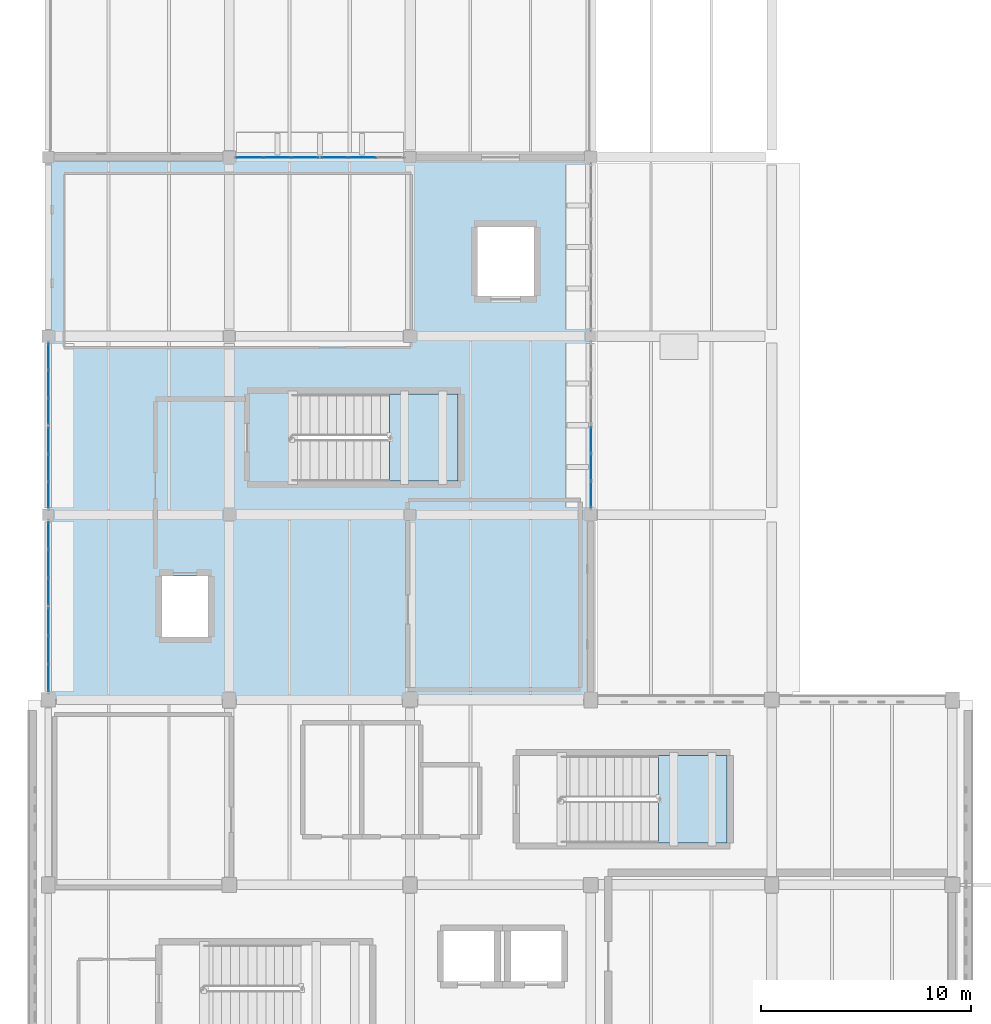
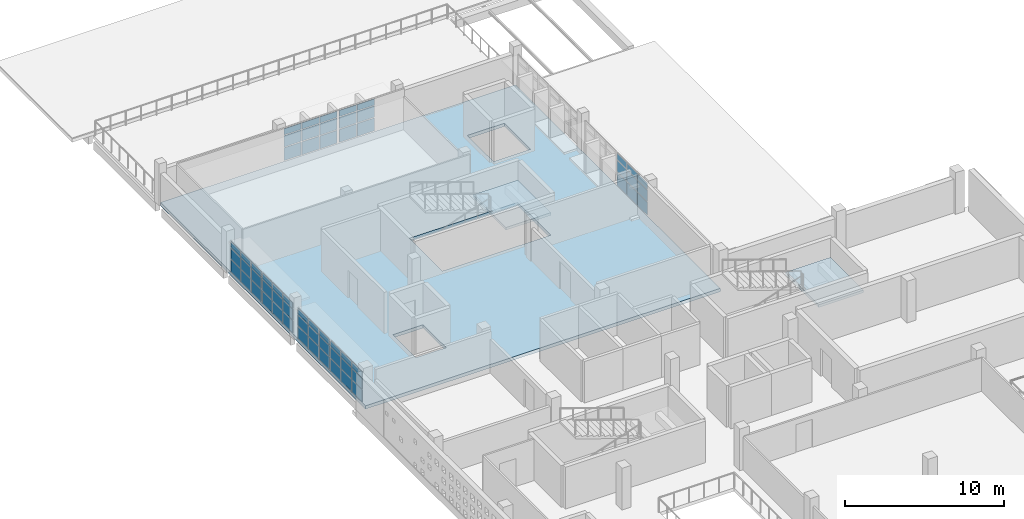
# One storey, part 34 of 55: 60 plates, 3 slabs, 9 elements without a shape of their own.
"""IFC4 building model written with IfcOpenShell, lengths in metres."""

import ifcopenshell
import ifcopenshell.guid

model = None  # the IFC model being written
_history = None  # IfcOwnerHistory: only IFC2X3 demands one
_inside = {}  # id of a spatial element -> (the spatial element, [elements in it])
_under = {}  # id of a project, library or spatial element -> (it, [spatial elements below it])
_declared = {}  # id of a project -> (the project, [libraries it declares])
_typed = {}  # id of a type object -> (the type object, [elements of that type])
_made_of = {}  # id of a material, layer set ... -> (it, [elements and type objects made of it])


def new_model(schema):
    """Start an empty IFC model of exactly this schema.

    Asked for "IFC4X3", IfcOpenShell would pick the latest addendum, in which some entities
    have other attributes; the version numbers below select the first issue.
    IFC2X3 requires an IfcOwnerHistory on every rooted entity: one is made here for all.
    """
    global model, _history
    if schema == "IFC4X3":
        model = ifcopenshell.file(schema_version=(4, 3, 0, 0))
    else:
        model = ifcopenshell.file(schema=schema)
    _inside.clear()
    _under.clear()
    _declared.clear()
    _typed.clear()
    _made_of.clear()
    _history = None
    if model.schema == "IFC2X3":
        org = make("IfcOrganization", Name="unknown")
        user = make(
            "IfcPersonAndOrganization",
            ThePerson=make("IfcPerson", FamilyName="unknown"),
            TheOrganization=org,
        )
        app = make(
            "IfcApplication",
            ApplicationDeveloper=org,
            Version="unknown",
            ApplicationFullName="unknown",
            ApplicationIdentifier="unknown",
        )
        _history = make(
            "IfcOwnerHistory",
            OwningUser=user,
            OwningApplication=app,
            ChangeAction="ADDED",
            CreationDate=0,
        )
    return model


def make(cls, **values):
    """One entity of the class cls with the attributes given. An attribute that is None is left unset."""
    return model.create_entity(
        cls, **{name: value for name, value in values.items() if value is not None}
    )


def rooted(cls, **values):
    """An entity with a GlobalId (a new one), such as an element, a storey or a relation."""
    return make(cls, GlobalId=ifcopenshell.guid.new(), OwnerHistory=_history, **values)


def si_unit(unit_type, name, prefix=None):
    """IfcSIUnit, for example si_unit("LENGTHUNIT", "METRE", prefix="MILLI")."""
    return make("IfcSIUnit", UnitType=unit_type, Prefix=prefix, Name=name)


def assignment(units):
    """IfcUnitAssignment: the units of a project."""
    return None if units is None else make("IfcUnitAssignment", Units=units)


def point(xyz):
    """IfcCartesianPoint."""
    return None if xyz is None else make("IfcCartesianPoint", Coordinates=xyz)


def direction(xyz):
    """IfcDirection."""
    return None if xyz is None else make("IfcDirection", DirectionRatios=xyz)


def frame(location, z_axis=None, x_axis=None):
    """IfcAxis2Placement3D, a coordinate frame: its origin and axes. An axis left out is left unset."""
    return make(
        "IfcAxis2Placement3D",
        Location=point(location),
        Axis=direction(z_axis),
        RefDirection=direction(x_axis),
    )


def frame_2d(location, x_axis=None):
    """IfcAxis2Placement2D, a coordinate frame in the plane: its origin and x axis."""
    return make(
        "IfcAxis2Placement2D", Location=point(location), RefDirection=direction(x_axis)
    )


def origin():
    """The frame at (0, 0, 0) with its axes left unset."""
    return frame((0.0, 0.0, 0.0))


def origin_2d():
    """The frame at (0, 0) in the plane with its x axis left unset."""
    return frame_2d((0.0, 0.0))


def place(relative_to, where):
    """IfcLocalPlacement: puts the frame where relative to a parent placement (None: the world)."""
    return make(
        "IfcLocalPlacement", PlacementRelTo=relative_to, RelativePlacement=where
    )


def context(
    kind, dimensions, precision=None, world=None, true_north=None, identifier=None
):
    """IfcGeometricRepresentationContext, for example the 3D "Model" context."""
    return make(
        "IfcGeometricRepresentationContext",
        ContextIdentifier=identifier,
        ContextType=kind,
        CoordinateSpaceDimension=dimensions,
        Precision=precision,
        WorldCoordinateSystem=world,
        TrueNorth=true_north,
    )


def subcontext(parent, identifier, kind, view, scale=None):
    """IfcGeometricRepresentationSubContext, for example "Body" below "Model"."""
    return make(
        "IfcGeometricRepresentationSubContext",
        ContextIdentifier=identifier,
        ContextType=kind,
        ParentContext=parent,
        TargetScale=scale,
        TargetView=view,
    )


def project(units=None, contexts=None):
    """IfcProject with its units and contexts."""
    return rooted(
        "IfcProject",
        Name="project",
        RepresentationContexts=contexts,
        UnitsInContext=assignment(units),
    )


def spatial(cls, under=None, at=None, **own):
    """A site, building, storey or space (cls), placed at a placement, below another one or the project."""
    s = rooted(cls, ObjectPlacement=at, **own)
    if under is not None:
        _under.setdefault(under.id(), (under, []))[1].append(s)
    return s


def polyline(points):
    """IfcPolyline through the points."""
    return make("IfcPolyline", Points=[point(p) for p in points])


def profile(cls, at=None, kind="AREA", **sizes):
    """A parametric profile (cls). Its sizes go by their IFC names, for example OverallWidth=200.0."""
    return make(cls, ProfileType=kind, Position=at, **sizes)


def rectangle(**sizes):
    """IfcRectangleProfileDef."""
    return profile("IfcRectangleProfileDef", **sizes)


def outline(outer, holes=None, kind="AREA"):
    """IfcArbitraryClosedProfileDef: a profile drawn as a closed curve; with holes, ...WithVoids."""
    if holes is None:
        return make("IfcArbitraryClosedProfileDef", ProfileType=kind, OuterCurve=outer)
    return make(
        "IfcArbitraryProfileDefWithVoids",
        ProfileType=kind,
        OuterCurve=outer,
        InnerCurves=holes,
    )


def extrude(swept, where, along, depth):
    """IfcExtrudedAreaSolid: the profile swept, set in the frame where, extruded along a direction by depth."""
    return make(
        "IfcExtrudedAreaSolid",
        SweptArea=swept,
        Position=where,
        ExtrudedDirection=direction(along),
        Depth=depth,
    )


def shape(context_of_items, identifier, shape_type, items):
    """IfcShapeRepresentation: the items that make up one representation, for example the "Body"."""
    return make(
        "IfcShapeRepresentation",
        ContextOfItems=context_of_items,
        RepresentationIdentifier=identifier,
        RepresentationType=shape_type,
        Items=items,
    )


def material(Name=None, Category=None):
    """IfcMaterial."""
    return make("IfcMaterial", Name=Name, Category=Category)


def layer(
    of_material, thickness, ventilated=None, Name=None, Category=None, Priority=None
):
    """IfcMaterialLayer: one layer of a wall or slab, of a material (None: an air gap)."""
    return make(
        "IfcMaterialLayer",
        Material=of_material,
        LayerThickness=thickness,
        IsVentilated=ventilated,
        Name=Name,
        Category=Category,
        Priority=Priority,
    )


def layer_set(layers, Name=None):
    """IfcMaterialLayerSet."""
    return make("IfcMaterialLayerSet", MaterialLayers=layers, LayerSetName=Name)


def made_of(thing, what):
    """Note that an element or type object is made of a material, layer set ...; save() writes the relation."""
    if what is not None:
        _made_of.setdefault(what.id(), (what, []))[1].append(thing)
    return thing


def type_object(cls, material=None, **own):
    """A type object (cls), such as IfcWallType, which elements share."""
    return made_of(rooted(cls, **own), material)


def element(
    cls,
    number,
    at=None,
    inside=None,
    cuts=None,
    type_object=None,
    material=None,
    context=None,
    identifier="Body",
    shape_type=None,
    held_by="IfcProductDefinitionShape",
    body=None,
    shapes=None,
    **own,
):
    """One element of the class cls, such as IfcWall. Its Tag is "e" and its number.

    at: its placement. inside: the storey or other place that contains it. cuts: it is an
    opening in that element (IfcRelVoidsElement). A single representation is given by context,
    identifier, shape_type and body (its items); several are given by shapes. held_by: the class
    of the entity that holds the representations. save() writes the other relations.
    """
    e = rooted(cls, Tag="e%d" % number, ObjectPlacement=at, **own)
    if body is not None:
        shapes = [shape(context, identifier, shape_type, body)]
    if shapes is not None:
        e.Representation = make(held_by, Representations=shapes)
    if inside is not None:
        _inside.setdefault(inside.id(), (inside, []))[1].append(e)
    if cuts is not None:
        rooted(
            "IfcRelVoidsElement", RelatingBuildingElement=cuts, RelatedOpeningElement=e
        )
    if type_object is not None:
        _typed.setdefault(type_object.id(), (type_object, []))[1].append(e)
    return made_of(e, material)


def aggregate(whole, parts):
    """IfcRelAggregates: a whole, such as a stair, and the parts it consists of."""
    return rooted("IfcRelAggregates", RelatingObject=whole, RelatedObjects=parts)


def save(model, path):
    """Write the relations noted so far, then the file.

    IfcRelAggregates (storeys below a building ...), IfcRelContainedInSpatialStructure (elements
    in a storey), IfcRelDefinesByType, IfcRelAssociatesMaterial and IfcRelDeclares: one each for
    every whole, place, type object, material and project.
    """
    for whole, parts in _under.values():
        aggregate(whole, parts)
    for where, things in _inside.values():
        rooted(
            "IfcRelContainedInSpatialStructure",
            RelatedElements=things,
            RelatingStructure=where,
        )
    for kind, things in _typed.values():
        rooted("IfcRelDefinesByType", RelatedObjects=things, RelatingType=kind)
    for what, things in _made_of.values():
        rooted("IfcRelAssociatesMaterial", RelatedObjects=things, RelatingMaterial=what)
    for by, libraries in _declared.values():
        rooted("IfcRelDeclares", RelatingContext=by, RelatedDefinitions=libraries)
    model.write(path)


model = new_model("IFC4")

# Units and contexts
model_context = context("Model", 3, precision=1e-05, world=origin(), true_north=direction((0.0, 1.0)))
body_context = subcontext(model_context, "Body", "Model", "MODEL_VIEW")
ifc_project = project(units=[si_unit("LENGTHUNIT", "METRE"), si_unit("AREAUNIT", "SQUARE_METRE"), si_unit("VOLUMEUNIT", "CUBIC_METRE"), si_unit("PLANEANGLEUNIT", "RADIAN"), si_unit("MASSUNIT", "GRAM", prefix="KILO")], contexts=[model_context])

# Site, building, storey
site_placement = place(None, origin())
site = spatial("IfcSite", under=ifc_project, at=site_placement, CompositionType="ELEMENT")
building_placement = place(site_placement, origin())
building = spatial("IfcBuilding", under=site, at=building_placement, Name="Varnakota Cinema and Media Centre", CompositionType="ELEMENT")
storey_placement = place(building_placement, frame((0.0, 0.0, 15.60009765625)))
storey = spatial("IfcBuildingStorey", under=building, at=storey_placement, Name="L04", CompositionType="ELEMENT", Elevation=15.60009765625)

# Curtain wall, plates
ifc_material_1 = material(Name="Thermally broken anodised aluminium AW-6063", Category="aluminium")
curtain_wall_type_1 = type_object("IfcCurtainWallType", Name="CW-STD-394x258", PredefinedType="USERDEFINED", material=ifc_material_1)
curtain_wall_1_placement = place(storey_placement, origin())
curtain_wall_1 = element("IfcCurtainWall", 1, at=curtain_wall_1_placement, inside=storey, type_object=curtain_wall_type_1, Name="L04 curtain wall CW-L04-V5-E-02-1", ObjectType="UNITISED CURTAIN WALL", PredefinedType="USERDEFINED")
ifc_material_2 = material(Name="Laminated solar-control double glazing", Category="glass")
ifc_layer_1 = layer(ifc_material_2, 0.028076171875)
ifc_layer_set_1 = layer_set([ifc_layer_1], Name="Laminated solar-control double glazing")
plate_type = type_object("IfcPlateType", Name="CWP-DGU-28", PredefinedType="CURTAIN_PANEL", material=ifc_layer_set_1)
plate_1_placement = place(storey_placement, frame((25.800048828125, 44.973388671875, 0.06494140625), z_axis=(0.0, 0.0, 1.0), x_axis=(0.0, 1.0, 0.0)))
plate_1 = element("IfcPlate", 2, at=plate_1_placement, type_object=plate_type, Name="CW30 panel 1.1", PredefinedType="CURTAIN_PANEL", context=body_context, shape_type="SweptSolid", body=[
    extrude(rectangle(XDim=1.216552734375, YDim=0.028076171875, at=origin_2d()), origin(), (0.0, 0.0, 1.0), 0.98828125),
])
plate_2_placement = place(storey_placement, frame((25.800048828125, 44.973388671875, 1.1181640625), z_axis=(0.0, 0.0, 1.0), x_axis=(0.0, 1.0, 0.0)))
plate_2 = element("IfcPlate", 3, at=plate_2_placement, type_object=plate_type, Name="CW30 panel 1.2", PredefinedType="CURTAIN_PANEL", context=body_context, shape_type="SweptSolid", body=[
    extrude(rectangle(XDim=1.216552734375, YDim=0.028076171875, at=origin_2d()), origin(), (0.0, 0.0, 1.0), 0.865478515625),
])
plate_3_placement = place(storey_placement, frame((25.800048828125, 44.973388671875, 2.048828125), z_axis=(0.0, 0.0, 1.0), x_axis=(0.0, 1.0, 0.0)))
plate_3 = element("IfcPlate", 4, at=plate_3_placement, type_object=plate_type, Name="CW30 panel 1.3", PredefinedType="CURTAIN_PANEL", context=body_context, shape_type="SweptSolid", body=[
    extrude(rectangle(XDim=1.216552734375, YDim=0.028076171875, at=origin_2d()), origin(), (0.0, 0.0, 1.0), 0.47119140625),
])
plate_4_placement = place(storey_placement, frame((25.800048828125, 46.271240234375, 0.06494140625), z_axis=(0.0, 0.0, 1.0), x_axis=(0.0, 1.0, 0.0)))
plate_4 = element("IfcPlate", 5, at=plate_4_placement, type_object=plate_type, Name="CW30 panel 2.1", PredefinedType="CURTAIN_PANEL", context=body_context, shape_type="SweptSolid", body=[
    extrude(rectangle(XDim=1.249267578125, YDim=0.028076171875, at=origin_2d()), origin(), (0.0, 0.0, 1.0), 0.98828125),
])
plate_5_placement = place(storey_placement, frame((25.800048828125, 46.271240234375, 1.1181640625), z_axis=(0.0, 0.0, 1.0), x_axis=(0.0, 1.0, 0.0)))
plate_5 = element("IfcPlate", 6, at=plate_5_placement, type_object=plate_type, Name="CW30 panel 2.2", PredefinedType="CURTAIN_PANEL", context=body_context, shape_type="SweptSolid", body=[
    extrude(rectangle(XDim=1.249267578125, YDim=0.028076171875, at=origin_2d()), origin(), (0.0, 0.0, 1.0), 0.865478515625),
])
plate_6_placement = place(storey_placement, frame((25.800048828125, 46.271240234375, 2.048828125), z_axis=(0.0, 0.0, 1.0), x_axis=(0.0, 1.0, 0.0)))
plate_6 = element("IfcPlate", 7, at=plate_6_placement, type_object=plate_type, Name="CW30 panel 2.3", PredefinedType="CURTAIN_PANEL", context=body_context, shape_type="SweptSolid", body=[
    extrude(rectangle(XDim=1.249267578125, YDim=0.028076171875, at=origin_2d()), origin(), (0.0, 0.0, 1.0), 0.47119140625),
])
plate_7_placement = place(storey_placement, frame((25.800048828125, 47.569091796875, 0.06494140625), z_axis=(0.0, 0.0, 1.0), x_axis=(0.0, 1.0, 0.0)))
plate_7 = element("IfcPlate", 8, at=plate_7_placement, type_object=plate_type, Name="CW30 panel 3.1", PredefinedType="CURTAIN_PANEL", context=body_context, shape_type="SweptSolid", body=[
    extrude(rectangle(XDim=1.216552734375, YDim=0.028076171875, at=origin_2d()), origin(), (0.0, 0.0, 1.0), 0.98828125),
])
plate_8_placement = place(storey_placement, frame((25.800048828125, 47.569091796875, 1.1181640625), z_axis=(0.0, 0.0, 1.0), x_axis=(0.0, 1.0, 0.0)))
plate_8 = element("IfcPlate", 9, at=plate_8_placement, type_object=plate_type, Name="CW30 panel 3.2", PredefinedType="CURTAIN_PANEL", context=body_context, shape_type="SweptSolid", body=[
    extrude(rectangle(XDim=1.216552734375, YDim=0.028076171875, at=origin_2d()), origin(), (0.0, 0.0, 1.0), 0.865478515625),
])
plate_9_placement = place(storey_placement, frame((25.800048828125, 47.569091796875, 2.048828125), z_axis=(0.0, 0.0, 1.0), x_axis=(0.0, 1.0, 0.0)))
plate_9 = element("IfcPlate", 10, at=plate_9_placement, type_object=plate_type, Name="CW30 panel 3.3", PredefinedType="CURTAIN_PANEL", context=body_context, shape_type="SweptSolid", body=[
    extrude(rectangle(XDim=1.216552734375, YDim=0.028076171875, at=origin_2d()), origin(), (0.0, 0.0, 1.0), 0.47119140625),
])
aggregate(curtain_wall_1, [plate_1, plate_2, plate_3, plate_4, plate_5, plate_6, plate_7, plate_8, plate_9])

ifc_material_3 = material(Name="Thermally broken anodised aluminium AW-6063", Category="aluminium")
curtain_wall_type_2 = type_object("IfcCurtainWallType", Name="CW-STD-399x258", PredefinedType="USERDEFINED", material=ifc_material_3)
curtain_wall_2_placement = place(storey_placement, origin())
curtain_wall_2 = element("IfcCurtainWall", 11, at=curtain_wall_2_placement, inside=storey, type_object=curtain_wall_type_2, Name="L04 curtain wall CW-L04-V5-N-02-1", ObjectType="UNITISED CURTAIN WALL", PredefinedType="USERDEFINED")
plate_10_placement = place(storey_placement, frame((9.581787109375, 61.0, 0.06494140625), z_axis=(0.0, 0.0, 1.0), x_axis=(1.0, 0.0, 0.0)))
plate_10 = element("IfcPlate", 12, at=plate_10_placement, type_object=plate_type, Name="CW49 panel 1.1", PredefinedType="CURTAIN_PANEL", context=body_context, shape_type="SweptSolid", body=[
    extrude(rectangle(XDim=1.2333984375, YDim=0.028076171875, at=origin_2d()), origin(), (0.0, 0.0, 1.0), 0.98828125),
])
plate_11_placement = place(storey_placement, frame((9.581787109375, 61.0, 1.1181640625), z_axis=(0.0, 0.0, 1.0), x_axis=(1.0, 0.0, 0.0)))
plate_11 = element("IfcPlate", 13, at=plate_11_placement, type_object=plate_type, Name="CW49 panel 1.2", PredefinedType="CURTAIN_PANEL", context=body_context, shape_type="SweptSolid", body=[
    extrude(rectangle(XDim=1.2333984375, YDim=0.028076171875, at=origin_2d()), origin(), (0.0, 0.0, 1.0), 0.865478515625),
])
plate_12_placement = place(storey_placement, frame((9.581787109375, 61.0, 2.048828125), z_axis=(0.0, 0.0, 1.0), x_axis=(1.0, 0.0, 0.0)))
plate_12 = element("IfcPlate", 14, at=plate_12_placement, type_object=plate_type, Name="CW49 panel 1.3", PredefinedType="CURTAIN_PANEL", context=body_context, shape_type="SweptSolid", body=[
    extrude(rectangle(XDim=1.2333984375, YDim=0.028076171875, at=origin_2d()), origin(), (0.0, 0.0, 1.0), 0.47119140625),
])
plate_13_placement = place(storey_placement, frame((10.896240234375, 61.0, 0.06494140625), z_axis=(0.0, 0.0, 1.0), x_axis=(1.0, 0.0, 0.0)))
plate_13 = element("IfcPlate", 15, at=plate_13_placement, type_object=plate_type, Name="CW49 panel 2.1", PredefinedType="CURTAIN_PANEL", context=body_context, shape_type="SweptSolid", body=[
    extrude(rectangle(XDim=1.265869140625, YDim=0.028076171875, at=origin_2d()), origin(), (0.0, 0.0, 1.0), 0.98828125),
])
plate_14_placement = place(storey_placement, frame((10.896240234375, 61.0, 1.1181640625), z_axis=(0.0, 0.0, 1.0), x_axis=(1.0, 0.0, 0.0)))
plate_14 = element("IfcPlate", 16, at=plate_14_placement, type_object=plate_type, Name="CW49 panel 2.2", PredefinedType="CURTAIN_PANEL", context=body_context, shape_type="SweptSolid", body=[
    extrude(rectangle(XDim=1.265869140625, YDim=0.028076171875, at=origin_2d()), origin(), (0.0, 0.0, 1.0), 0.865478515625),
])
plate_15_placement = place(storey_placement, frame((10.896240234375, 61.0, 2.048828125), z_axis=(0.0, 0.0, 1.0), x_axis=(1.0, 0.0, 0.0)))
plate_15 = element("IfcPlate", 17, at=plate_15_placement, type_object=plate_type, Name="CW49 panel 2.3", PredefinedType="CURTAIN_PANEL", context=body_context, shape_type="SweptSolid", body=[
    extrude(rectangle(XDim=1.265869140625, YDim=0.028076171875, at=origin_2d()), origin(), (0.0, 0.0, 1.0), 0.47119140625),
])
plate_16_placement = place(storey_placement, frame((12.2109375, 61.0, 0.06494140625), z_axis=(0.0, 0.0, 1.0), x_axis=(1.0, 0.0, 0.0)))
plate_16 = element("IfcPlate", 18, at=plate_16_placement, type_object=plate_type, Name="CW49 panel 3.1", PredefinedType="CURTAIN_PANEL", context=body_context, shape_type="SweptSolid", body=[
    extrude(rectangle(XDim=1.2333984375, YDim=0.028076171875, at=origin_2d()), origin(), (0.0, 0.0, 1.0), 0.98828125),
])
plate_17_placement = place(storey_placement, frame((12.2109375, 61.0, 1.1181640625), z_axis=(0.0, 0.0, 1.0), x_axis=(1.0, 0.0, 0.0)))
plate_17 = element("IfcPlate", 19, at=plate_17_placement, type_object=plate_type, Name="CW49 panel 3.2", PredefinedType="CURTAIN_PANEL", context=body_context, shape_type="SweptSolid", body=[
    extrude(rectangle(XDim=1.2333984375, YDim=0.028076171875, at=origin_2d()), origin(), (0.0, 0.0, 1.0), 0.865478515625),
])
plate_18_placement = place(storey_placement, frame((12.2109375, 61.0, 2.048828125), z_axis=(0.0, 0.0, 1.0), x_axis=(1.0, 0.0, 0.0)))
plate_18 = element("IfcPlate", 20, at=plate_18_placement, type_object=plate_type, Name="CW49 panel 3.3", PredefinedType="CURTAIN_PANEL", context=body_context, shape_type="SweptSolid", body=[
    extrude(rectangle(XDim=1.2333984375, YDim=0.028076171875, at=origin_2d()), origin(), (0.0, 0.0, 1.0), 0.47119140625),
])
aggregate(curtain_wall_2, [plate_10, plate_11, plate_12, plate_13, plate_14, plate_15, plate_16, plate_17, plate_18])

curtain_wall_3_placement = place(storey_placement, origin())
curtain_wall_3 = element("IfcCurtainWall", 21, at=curtain_wall_3_placement, inside=storey, type_object=curtain_wall_type_2, Name="L04 curtain wall CW-L04-V5-N-02-2", ObjectType="UNITISED CURTAIN WALL", PredefinedType="USERDEFINED")
plate_19_placement = place(storey_placement, frame((13.6142578125, 61.0, 0.06494140625), z_axis=(0.0, 0.0, 1.0), x_axis=(1.0, 0.0, 0.0)))
plate_19 = element("IfcPlate", 22, at=plate_19_placement, type_object=plate_type, Name="CW49 panel 1.1", PredefinedType="CURTAIN_PANEL", context=body_context, shape_type="SweptSolid", body=[
    extrude(rectangle(XDim=1.2333984375, YDim=0.028076171875, at=origin_2d()), origin(), (0.0, 0.0, 1.0), 0.98828125),
])
plate_20_placement = place(storey_placement, frame((13.6142578125, 61.0, 1.1181640625), z_axis=(0.0, 0.0, 1.0), x_axis=(1.0, 0.0, 0.0)))
plate_20 = element("IfcPlate", 23, at=plate_20_placement, type_object=plate_type, Name="CW49 panel 1.2", PredefinedType="CURTAIN_PANEL", context=body_context, shape_type="SweptSolid", body=[
    extrude(rectangle(XDim=1.2333984375, YDim=0.028076171875, at=origin_2d()), origin(), (0.0, 0.0, 1.0), 0.865478515625),
])
plate_21_placement = place(storey_placement, frame((13.6142578125, 61.0, 2.048828125), z_axis=(0.0, 0.0, 1.0), x_axis=(1.0, 0.0, 0.0)))
plate_21 = element("IfcPlate", 24, at=plate_21_placement, type_object=plate_type, Name="CW49 panel 1.3", PredefinedType="CURTAIN_PANEL", context=body_context, shape_type="SweptSolid", body=[
    extrude(rectangle(XDim=1.2333984375, YDim=0.028076171875, at=origin_2d()), origin(), (0.0, 0.0, 1.0), 0.47119140625),
])
plate_22_placement = place(storey_placement, frame((14.9287109375, 61.0, 0.06494140625), z_axis=(0.0, 0.0, 1.0), x_axis=(1.0, 0.0, 0.0)))
plate_22 = element("IfcPlate", 25, at=plate_22_placement, type_object=plate_type, Name="CW49 panel 2.1", PredefinedType="CURTAIN_PANEL", context=body_context, shape_type="SweptSolid", body=[
    extrude(rectangle(XDim=1.265869140625, YDim=0.028076171875, at=origin_2d()), origin(), (0.0, 0.0, 1.0), 0.98828125),
])
plate_23_placement = place(storey_placement, frame((14.9287109375, 61.0, 1.1181640625), z_axis=(0.0, 0.0, 1.0), x_axis=(1.0, 0.0, 0.0)))
plate_23 = element("IfcPlate", 26, at=plate_23_placement, type_object=plate_type, Name="CW49 panel 2.2", PredefinedType="CURTAIN_PANEL", context=body_context, shape_type="SweptSolid", body=[
    extrude(rectangle(XDim=1.265869140625, YDim=0.028076171875, at=origin_2d()), origin(), (0.0, 0.0, 1.0), 0.865478515625),
])
plate_24_placement = place(storey_placement, frame((14.9287109375, 61.0, 2.048828125), z_axis=(0.0, 0.0, 1.0), x_axis=(1.0, 0.0, 0.0)))
plate_24 = element("IfcPlate", 27, at=plate_24_placement, type_object=plate_type, Name="CW49 panel 2.3", PredefinedType="CURTAIN_PANEL", context=body_context, shape_type="SweptSolid", body=[
    extrude(rectangle(XDim=1.265869140625, YDim=0.028076171875, at=origin_2d()), origin(), (0.0, 0.0, 1.0), 0.47119140625),
])
aggregate(curtain_wall_3, [plate_19, plate_20, plate_21, plate_22, plate_23, plate_24])

ifc_material_4 = material(Name="Thermally broken anodised aluminium AW-6063", Category="aluminium")
curtain_wall_type_3 = type_object("IfcCurtainWallType", Name="CW-STD-394x244", PredefinedType="USERDEFINED", material=ifc_material_4)
curtain_wall_4_placement = place(storey_placement, origin())
curtain_wall_4 = element("IfcCurtainWall", 28, at=curtain_wall_4_placement, inside=storey, type_object=curtain_wall_type_3, Name="L04 curtain wall CW-L04-V5-W-02-1", ObjectType="UNITISED CURTAIN WALL", PredefinedType="USERDEFINED")
plate_25_placement = place(storey_placement, frame((0.0, 51.526611328125, 0.06494140625), z_axis=(0.0, 0.0, 1.0), x_axis=(0.0, -1.0, 0.0)))
plate_25 = element("IfcPlate", 29, at=plate_25_placement, type_object=plate_type, Name="CW50 panel 1.1", PredefinedType="CURTAIN_PANEL", context=body_context, shape_type="SweptSolid", body=[
    extrude(rectangle(XDim=1.216552734375, YDim=0.028076171875, at=origin_2d()), origin(), (0.0, 0.0, 1.0), 0.92529296875),
])
plate_26_placement = place(storey_placement, frame((0.0, 51.526611328125, 1.05517578125), z_axis=(0.0, 0.0, 1.0), x_axis=(0.0, -1.0, 0.0)))
plate_26 = element("IfcPlate", 30, at=plate_26_placement, type_object=plate_type, Name="CW50 panel 1.2", PredefinedType="CURTAIN_PANEL", context=body_context, shape_type="SweptSolid", body=[
    extrude(rectangle(XDim=1.216552734375, YDim=0.028076171875, at=origin_2d()), origin(), (0.0, 0.0, 1.0), 0.8115234375),
])
plate_27_placement = place(storey_placement, frame((0.0, 51.526611328125, 1.931640625), z_axis=(0.0, 0.0, 1.0), x_axis=(0.0, -1.0, 0.0)))
plate_27 = element("IfcPlate", 31, at=plate_27_placement, type_object=plate_type, Name="CW50 panel 1.3", PredefinedType="CURTAIN_PANEL", context=body_context, shape_type="SweptSolid", body=[
    extrude(rectangle(XDim=1.216552734375, YDim=0.028076171875, at=origin_2d()), origin(), (0.0, 0.0, 1.0), 0.438232421875),
])
plate_28_placement = place(storey_placement, frame((0.0, 50.228759765625, 0.06494140625), z_axis=(0.0, 0.0, 1.0), x_axis=(0.0, -1.0, 0.0)))
plate_28 = element("IfcPlate", 32, at=plate_28_placement, type_object=plate_type, Name="CW50 panel 2.1", PredefinedType="CURTAIN_PANEL", context=body_context, shape_type="SweptSolid", body=[
    extrude(rectangle(XDim=1.249267578125, YDim=0.028076171875, at=origin_2d()), origin(), (0.0, 0.0, 1.0), 0.92529296875),
])
plate_29_placement = place(storey_placement, frame((0.0, 50.228759765625, 1.05517578125), z_axis=(0.0, 0.0, 1.0), x_axis=(0.0, -1.0, 0.0)))
plate_29 = element("IfcPlate", 33, at=plate_29_placement, type_object=plate_type, Name="CW50 panel 2.2", PredefinedType="CURTAIN_PANEL", context=body_context, shape_type="SweptSolid", body=[
    extrude(rectangle(XDim=1.249267578125, YDim=0.028076171875, at=origin_2d()), origin(), (0.0, 0.0, 1.0), 0.8115234375),
])
plate_30_placement = place(storey_placement, frame((0.0, 50.228759765625, 1.931640625), z_axis=(0.0, 0.0, 1.0), x_axis=(0.0, -1.0, 0.0)))
plate_30 = element("IfcPlate", 34, at=plate_30_placement, type_object=plate_type, Name="CW50 panel 2.3", PredefinedType="CURTAIN_PANEL", context=body_context, shape_type="SweptSolid", body=[
    extrude(rectangle(XDim=1.249267578125, YDim=0.028076171875, at=origin_2d()), origin(), (0.0, 0.0, 1.0), 0.438232421875),
])
plate_31_placement = place(storey_placement, frame((0.0, 48.930908203125, 0.06494140625), z_axis=(0.0, 0.0, 1.0), x_axis=(0.0, -1.0, 0.0)))
plate_31 = element("IfcPlate", 35, at=plate_31_placement, type_object=plate_type, Name="CW50 panel 3.1", PredefinedType="CURTAIN_PANEL", context=body_context, shape_type="SweptSolid", body=[
    extrude(rectangle(XDim=1.216552734375, YDim=0.028076171875, at=origin_2d()), origin(), (0.0, 0.0, 1.0), 0.92529296875),
])
plate_32_placement = place(storey_placement, frame((0.0, 48.930908203125, 1.05517578125), z_axis=(0.0, 0.0, 1.0), x_axis=(0.0, -1.0, 0.0)))
plate_32 = element("IfcPlate", 36, at=plate_32_placement, type_object=plate_type, Name="CW50 panel 3.2", PredefinedType="CURTAIN_PANEL", context=body_context, shape_type="SweptSolid", body=[
    extrude(rectangle(XDim=1.216552734375, YDim=0.028076171875, at=origin_2d()), origin(), (0.0, 0.0, 1.0), 0.8115234375),
])
plate_33_placement = place(storey_placement, frame((0.0, 48.930908203125, 1.931640625), z_axis=(0.0, 0.0, 1.0), x_axis=(0.0, -1.0, 0.0)))
plate_33 = element("IfcPlate", 37, at=plate_33_placement, type_object=plate_type, Name="CW50 panel 3.3", PredefinedType="CURTAIN_PANEL", context=body_context, shape_type="SweptSolid", body=[
    extrude(rectangle(XDim=1.216552734375, YDim=0.028076171875, at=origin_2d()), origin(), (0.0, 0.0, 1.0), 0.438232421875),
])
aggregate(curtain_wall_4, [plate_25, plate_26, plate_27, plate_28, plate_29, plate_30, plate_31, plate_32, plate_33])

curtain_wall_5_placement = place(storey_placement, origin())
curtain_wall_5 = element("IfcCurtainWall", 38, at=curtain_wall_5_placement, inside=storey, type_object=curtain_wall_type_3, Name="L04 curtain wall CW-L04-V5-W-02-2", ObjectType="UNITISED CURTAIN WALL", PredefinedType="USERDEFINED")
plate_34_placement = place(storey_placement, frame((0.0, 47.544189453125, 0.06494140625), z_axis=(0.0, 0.0, 1.0), x_axis=(0.0, -1.0, 0.0)))
plate_34 = element("IfcPlate", 39, at=plate_34_placement, type_object=plate_type, Name="CW50 panel 1.1", PredefinedType="CURTAIN_PANEL", context=body_context, shape_type="SweptSolid", body=[
    extrude(rectangle(XDim=1.216552734375, YDim=0.028076171875, at=origin_2d()), origin(), (0.0, 0.0, 1.0), 0.92529296875),
])
plate_35_placement = place(storey_placement, frame((0.0, 47.544189453125, 1.05517578125), z_axis=(0.0, 0.0, 1.0), x_axis=(0.0, -1.0, 0.0)))
plate_35 = element("IfcPlate", 40, at=plate_35_placement, type_object=plate_type, Name="CW50 panel 1.2", PredefinedType="CURTAIN_PANEL", context=body_context, shape_type="SweptSolid", body=[
    extrude(rectangle(XDim=1.216552734375, YDim=0.028076171875, at=origin_2d()), origin(), (0.0, 0.0, 1.0), 0.8115234375),
])
plate_36_placement = place(storey_placement, frame((0.0, 47.544189453125, 1.931640625), z_axis=(0.0, 0.0, 1.0), x_axis=(0.0, -1.0, 0.0)))
plate_36 = element("IfcPlate", 41, at=plate_36_placement, type_object=plate_type, Name="CW50 panel 1.3", PredefinedType="CURTAIN_PANEL", context=body_context, shape_type="SweptSolid", body=[
    extrude(rectangle(XDim=1.216552734375, YDim=0.028076171875, at=origin_2d()), origin(), (0.0, 0.0, 1.0), 0.438232421875),
])
plate_37_placement = place(storey_placement, frame((0.0, 46.246337890625, 0.06494140625), z_axis=(0.0, 0.0, 1.0), x_axis=(0.0, -1.0, 0.0)))
plate_37 = element("IfcPlate", 42, at=plate_37_placement, type_object=plate_type, Name="CW50 panel 2.1", PredefinedType="CURTAIN_PANEL", context=body_context, shape_type="SweptSolid", body=[
    extrude(rectangle(XDim=1.249267578125, YDim=0.028076171875, at=origin_2d()), origin(), (0.0, 0.0, 1.0), 0.92529296875),
])
plate_38_placement = place(storey_placement, frame((0.0, 46.246337890625, 1.05517578125), z_axis=(0.0, 0.0, 1.0), x_axis=(0.0, -1.0, 0.0)))
plate_38 = element("IfcPlate", 43, at=plate_38_placement, type_object=plate_type, Name="CW50 panel 2.2", PredefinedType="CURTAIN_PANEL", context=body_context, shape_type="SweptSolid", body=[
    extrude(rectangle(XDim=1.249267578125, YDim=0.028076171875, at=origin_2d()), origin(), (0.0, 0.0, 1.0), 0.8115234375),
])
plate_39_placement = place(storey_placement, frame((0.0, 46.246337890625, 1.931640625), z_axis=(0.0, 0.0, 1.0), x_axis=(0.0, -1.0, 0.0)))
plate_39 = element("IfcPlate", 44, at=plate_39_placement, type_object=plate_type, Name="CW50 panel 2.3", PredefinedType="CURTAIN_PANEL", context=body_context, shape_type="SweptSolid", body=[
    extrude(rectangle(XDim=1.249267578125, YDim=0.028076171875, at=origin_2d()), origin(), (0.0, 0.0, 1.0), 0.438232421875),
])
plate_40_placement = place(storey_placement, frame((0.0, 44.9482421875, 0.06494140625), z_axis=(0.0, 0.0, 1.0), x_axis=(0.0, -1.0, 0.0)))
plate_40 = element("IfcPlate", 45, at=plate_40_placement, type_object=plate_type, Name="CW50 panel 3.1", PredefinedType="CURTAIN_PANEL", context=body_context, shape_type="SweptSolid", body=[
    extrude(rectangle(XDim=1.216552734375, YDim=0.028076171875, at=origin_2d()), origin(), (0.0, 0.0, 1.0), 0.92529296875),
])
plate_41_placement = place(storey_placement, frame((0.0, 44.9482421875, 1.05517578125), z_axis=(0.0, 0.0, 1.0), x_axis=(0.0, -1.0, 0.0)))
plate_41 = element("IfcPlate", 46, at=plate_41_placement, type_object=plate_type, Name="CW50 panel 3.2", PredefinedType="CURTAIN_PANEL", context=body_context, shape_type="SweptSolid", body=[
    extrude(rectangle(XDim=1.216552734375, YDim=0.028076171875, at=origin_2d()), origin(), (0.0, 0.0, 1.0), 0.8115234375),
])
plate_42_placement = place(storey_placement, frame((0.0, 44.9482421875, 1.931640625), z_axis=(0.0, 0.0, 1.0), x_axis=(0.0, -1.0, 0.0)))
plate_42 = element("IfcPlate", 47, at=plate_42_placement, type_object=plate_type, Name="CW50 panel 3.3", PredefinedType="CURTAIN_PANEL", context=body_context, shape_type="SweptSolid", body=[
    extrude(rectangle(XDim=1.216552734375, YDim=0.028076171875, at=origin_2d()), origin(), (0.0, 0.0, 1.0), 0.438232421875),
])
aggregate(curtain_wall_5, [plate_34, plate_35, plate_36, plate_37, plate_38, plate_39, plate_40, plate_41, plate_42])

ifc_material_5 = material(Name="Thermally broken anodised aluminium AW-6063", Category="aluminium")
curtain_wall_type_4 = type_object("IfcCurtainWallType", Name="CW-STD-407x244", PredefinedType="USERDEFINED", material=ifc_material_5)
curtain_wall_6_placement = place(storey_placement, origin())
curtain_wall_6 = element("IfcCurtainWall", 48, at=curtain_wall_6_placement, inside=storey, type_object=curtain_wall_type_4, Name="L04 curtain wall CW-L04-V5-W-03-1", ObjectType="UNITISED CURTAIN WALL", PredefinedType="USERDEFINED")
plate_43_placement = place(storey_placement, frame((0.0, 43.03076171875, 0.06494140625), z_axis=(0.0, 0.0, 1.0), x_axis=(0.0, -1.0, 0.0)))
plate_43 = element("IfcPlate", 49, at=plate_43_placement, type_object=plate_type, Name="CW51 panel 1.1", PredefinedType="CURTAIN_PANEL", context=body_context, shape_type="SweptSolid", body=[
    extrude(rectangle(XDim=1.25830078125, YDim=0.028076171875, at=origin_2d()), origin(), (0.0, 0.0, 1.0), 0.92529296875),
])
plate_44_placement = place(storey_placement, frame((0.0, 43.03076171875, 1.05517578125), z_axis=(0.0, 0.0, 1.0), x_axis=(0.0, -1.0, 0.0)))
plate_44 = element("IfcPlate", 50, at=plate_44_placement, type_object=plate_type, Name="CW51 panel 1.2", PredefinedType="CURTAIN_PANEL", context=body_context, shape_type="SweptSolid", body=[
    extrude(rectangle(XDim=1.25830078125, YDim=0.028076171875, at=origin_2d()), origin(), (0.0, 0.0, 1.0), 0.8115234375),
])
plate_45_placement = place(storey_placement, frame((0.0, 43.03076171875, 1.931640625), z_axis=(0.0, 0.0, 1.0), x_axis=(0.0, -1.0, 0.0)))
plate_45 = element("IfcPlate", 51, at=plate_45_placement, type_object=plate_type, Name="CW51 panel 1.3", PredefinedType="CURTAIN_PANEL", context=body_context, shape_type="SweptSolid", body=[
    extrude(rectangle(XDim=1.25830078125, YDim=0.028076171875, at=origin_2d()), origin(), (0.0, 0.0, 1.0), 0.438232421875),
])
plate_46_placement = place(storey_placement, frame((0.0, 41.691162109375, 0.06494140625), z_axis=(0.0, 0.0, 1.0), x_axis=(0.0, -1.0, 0.0)))
plate_46 = element("IfcPlate", 52, at=plate_46_placement, type_object=plate_type, Name="CW51 panel 2.1", PredefinedType="CURTAIN_PANEL", context=body_context, shape_type="SweptSolid", body=[
    extrude(rectangle(XDim=1.290771484375, YDim=0.028076171875, at=origin_2d()), origin(), (0.0, 0.0, 1.0), 0.92529296875),
])
plate_47_placement = place(storey_placement, frame((0.0, 41.691162109375, 1.05517578125), z_axis=(0.0, 0.0, 1.0), x_axis=(0.0, -1.0, 0.0)))
plate_47 = element("IfcPlate", 53, at=plate_47_placement, type_object=plate_type, Name="CW51 panel 2.2", PredefinedType="CURTAIN_PANEL", context=body_context, shape_type="SweptSolid", body=[
    extrude(rectangle(XDim=1.290771484375, YDim=0.028076171875, at=origin_2d()), origin(), (0.0, 0.0, 1.0), 0.8115234375),
])
plate_48_placement = place(storey_placement, frame((0.0, 41.691162109375, 1.931640625), z_axis=(0.0, 0.0, 1.0), x_axis=(0.0, -1.0, 0.0)))
plate_48 = element("IfcPlate", 54, at=plate_48_placement, type_object=plate_type, Name="CW51 panel 2.3", PredefinedType="CURTAIN_PANEL", context=body_context, shape_type="SweptSolid", body=[
    extrude(rectangle(XDim=1.290771484375, YDim=0.028076171875, at=origin_2d()), origin(), (0.0, 0.0, 1.0), 0.438232421875),
])
plate_49_placement = place(storey_placement, frame((0.0, 40.3515625, 0.06494140625), z_axis=(0.0, 0.0, 1.0), x_axis=(0.0, -1.0, 0.0)))
plate_49 = element("IfcPlate", 55, at=plate_49_placement, type_object=plate_type, Name="CW51 panel 3.1", PredefinedType="CURTAIN_PANEL", context=body_context, shape_type="SweptSolid", body=[
    extrude(rectangle(XDim=1.25830078125, YDim=0.028076171875, at=origin_2d()), origin(), (0.0, 0.0, 1.0), 0.92529296875),
])
plate_50_placement = place(storey_placement, frame((0.0, 40.3515625, 1.05517578125), z_axis=(0.0, 0.0, 1.0), x_axis=(0.0, -1.0, 0.0)))
plate_50 = element("IfcPlate", 56, at=plate_50_placement, type_object=plate_type, Name="CW51 panel 3.2", PredefinedType="CURTAIN_PANEL", context=body_context, shape_type="SweptSolid", body=[
    extrude(rectangle(XDim=1.25830078125, YDim=0.028076171875, at=origin_2d()), origin(), (0.0, 0.0, 1.0), 0.8115234375),
])
plate_51_placement = place(storey_placement, frame((0.0, 40.3515625, 1.931640625), z_axis=(0.0, 0.0, 1.0), x_axis=(0.0, -1.0, 0.0)))
plate_51 = element("IfcPlate", 57, at=plate_51_placement, type_object=plate_type, Name="CW51 panel 3.3", PredefinedType="CURTAIN_PANEL", context=body_context, shape_type="SweptSolid", body=[
    extrude(rectangle(XDim=1.25830078125, YDim=0.028076171875, at=origin_2d()), origin(), (0.0, 0.0, 1.0), 0.438232421875),
])
aggregate(curtain_wall_6, [plate_43, plate_44, plate_45, plate_46, plate_47, plate_48, plate_49, plate_50, plate_51])

curtain_wall_7_placement = place(storey_placement, origin())
curtain_wall_7 = element("IfcCurtainWall", 58, at=curtain_wall_7_placement, inside=storey, type_object=curtain_wall_type_4, Name="L04 curtain wall CW-L04-V5-W-03-2", ObjectType="UNITISED CURTAIN WALL", PredefinedType="USERDEFINED")
plate_52_placement = place(storey_placement, frame((0.0, 38.92333984375, 0.06494140625), z_axis=(0.0, 0.0, 1.0), x_axis=(0.0, -1.0, 0.0)))
plate_52 = element("IfcPlate", 59, at=plate_52_placement, type_object=plate_type, Name="CW51 panel 1.1", PredefinedType="CURTAIN_PANEL", context=body_context, shape_type="SweptSolid", body=[
    extrude(rectangle(XDim=1.25830078125, YDim=0.028076171875, at=origin_2d()), origin(), (0.0, 0.0, 1.0), 0.92529296875),
])
plate_53_placement = place(storey_placement, frame((0.0, 38.92333984375, 1.05517578125), z_axis=(0.0, 0.0, 1.0), x_axis=(0.0, -1.0, 0.0)))
plate_53 = element("IfcPlate", 60, at=plate_53_placement, type_object=plate_type, Name="CW51 panel 1.2", PredefinedType="CURTAIN_PANEL", context=body_context, shape_type="SweptSolid", body=[
    extrude(rectangle(XDim=1.25830078125, YDim=0.028076171875, at=origin_2d()), origin(), (0.0, 0.0, 1.0), 0.8115234375),
])
plate_54_placement = place(storey_placement, frame((0.0, 38.92333984375, 1.931640625), z_axis=(0.0, 0.0, 1.0), x_axis=(0.0, -1.0, 0.0)))
plate_54 = element("IfcPlate", 61, at=plate_54_placement, type_object=plate_type, Name="CW51 panel 1.3", PredefinedType="CURTAIN_PANEL", context=body_context, shape_type="SweptSolid", body=[
    extrude(rectangle(XDim=1.25830078125, YDim=0.028076171875, at=origin_2d()), origin(), (0.0, 0.0, 1.0), 0.438232421875),
])
plate_55_placement = place(storey_placement, frame((0.0, 37.583740234375, 0.06494140625), z_axis=(0.0, 0.0, 1.0), x_axis=(0.0, -1.0, 0.0)))
plate_55 = element("IfcPlate", 62, at=plate_55_placement, type_object=plate_type, Name="CW51 panel 2.1", PredefinedType="CURTAIN_PANEL", context=body_context, shape_type="SweptSolid", body=[
    extrude(rectangle(XDim=1.290771484375, YDim=0.028076171875, at=origin_2d()), origin(), (0.0, 0.0, 1.0), 0.92529296875),
])
plate_56_placement = place(storey_placement, frame((0.0, 37.583740234375, 1.05517578125), z_axis=(0.0, 0.0, 1.0), x_axis=(0.0, -1.0, 0.0)))
plate_56 = element("IfcPlate", 63, at=plate_56_placement, type_object=plate_type, Name="CW51 panel 2.2", PredefinedType="CURTAIN_PANEL", context=body_context, shape_type="SweptSolid", body=[
    extrude(rectangle(XDim=1.290771484375, YDim=0.028076171875, at=origin_2d()), origin(), (0.0, 0.0, 1.0), 0.8115234375),
])
plate_57_placement = place(storey_placement, frame((0.0, 37.583740234375, 1.931640625), z_axis=(0.0, 0.0, 1.0), x_axis=(0.0, -1.0, 0.0)))
plate_57 = element("IfcPlate", 64, at=plate_57_placement, type_object=plate_type, Name="CW51 panel 2.3", PredefinedType="CURTAIN_PANEL", context=body_context, shape_type="SweptSolid", body=[
    extrude(rectangle(XDim=1.290771484375, YDim=0.028076171875, at=origin_2d()), origin(), (0.0, 0.0, 1.0), 0.438232421875),
])
plate_58_placement = place(storey_placement, frame((0.0, 36.244140625, 0.06494140625), z_axis=(0.0, 0.0, 1.0), x_axis=(0.0, -1.0, 0.0)))
plate_58 = element("IfcPlate", 65, at=plate_58_placement, type_object=plate_type, Name="CW51 panel 3.1", PredefinedType="CURTAIN_PANEL", context=body_context, shape_type="SweptSolid", body=[
    extrude(rectangle(XDim=1.25830078125, YDim=0.028076171875, at=origin_2d()), origin(), (0.0, 0.0, 1.0), 0.92529296875),
])
plate_59_placement = place(storey_placement, frame((0.0, 36.244140625, 1.05517578125), z_axis=(0.0, 0.0, 1.0), x_axis=(0.0, -1.0, 0.0)))
plate_59 = element("IfcPlate", 66, at=plate_59_placement, type_object=plate_type, Name="CW51 panel 3.2", PredefinedType="CURTAIN_PANEL", context=body_context, shape_type="SweptSolid", body=[
    extrude(rectangle(XDim=1.25830078125, YDim=0.028076171875, at=origin_2d()), origin(), (0.0, 0.0, 1.0), 0.8115234375),
])
plate_60_placement = place(storey_placement, frame((0.0, 36.244140625, 1.931640625), z_axis=(0.0, 0.0, 1.0), x_axis=(0.0, -1.0, 0.0)))
plate_60 = element("IfcPlate", 67, at=plate_60_placement, type_object=plate_type, Name="CW51 panel 3.3", PredefinedType="CURTAIN_PANEL", context=body_context, shape_type="SweptSolid", body=[
    extrude(rectangle(XDim=1.25830078125, YDim=0.028076171875, at=origin_2d()), origin(), (0.0, 0.0, 1.0), 0.438232421875),
])
aggregate(curtain_wall_7, [plate_52, plate_53, plate_54, plate_55, plate_56, plate_57, plate_58, plate_59, plate_60])

# Slab
ifc_material_6 = material(Name="Concrete M35", Category="concrete")
ifc_layer_2 = layer(ifc_material_6, 0.25)
ifc_layer_set_2 = layer_set([ifc_layer_2], Name="Concrete M35")
slab_type_1 = type_object("IfcSlabType", Name="SLB-FLR-250", PredefinedType="FLOOR", material=ifc_layer_set_2)
slab_1_placement = place(storey_placement, frame((0.0, 0.0, -0.25)))
element("IfcSlab", 68, at=slab_1_placement, inside=storey, type_object=slab_type_1, Name="L04 V5 floor slab", PredefinedType="FLOOR", context=body_context, shape_type="SweptSolid", body=[
    extrude(outline(polyline([(0.0, 35.199951171875), (25.800048828125, 35.199951171875), (25.800048828125, 61.0), (0.0, 61.0), (0.0, 35.199951171875)]), holes=[polyline([(11.60009765625, 45.60009765625), (19.47998046875, 45.60009765625), (19.47998046875, 49.75), (11.60009765625, 49.75), (11.60009765625, 45.60009765625)]), polyline([(5.39990234375, 38.199951171875), (7.60009765625, 38.199951171875), (7.60009765625, 41.10009765625), (5.39990234375, 41.10009765625), (5.39990234375, 38.199951171875)]), polyline([(20.39990234375, 54.39990234375), (23.10009765625, 54.39990234375), (23.10009765625, 57.699951171875), (20.39990234375, 57.699951171875), (20.39990234375, 54.39990234375)])]), origin(), (0.0, 0.0, 1.0), 0.25),
])

# Stair, slab
ifc_material_7 = material(Name="Concrete M35", Category="concrete")
stair_type_1 = type_object("IfcStairType", Name="STR-CORE-ST-02-2000", PredefinedType="HALF_TURN_STAIR", material=ifc_material_7)
stair_1_placement = place(storey_placement, origin())
stair_1 = element("IfcStair", 69, at=stair_1_placement, inside=storey, type_object=stair_type_1, Name="L04 Cinema North Escape Stair 2", PredefinedType="HALF_TURN_STAIR")
ifc_material_8 = material(Name="Concrete M35", Category="concrete")
ifc_layer_3 = layer(ifc_material_8, 0.199951171875)
ifc_layer_set_3 = layer_set([ifc_layer_3], Name="Concrete M35")
slab_type_2 = type_object("IfcSlabType", Name="SLB-LAND-ST-02", PredefinedType="LANDING", material=ifc_layer_set_3)
slab_2_placement = place(storey_placement, frame((0.0, 0.0, 1.52490234375)))
slab_2 = element("IfcSlab", 70, at=slab_2_placement, type_object=slab_type_2, Name="ST-02 landing 1", PredefinedType="LANDING", context=body_context, shape_type="SweptSolid", body=[
    extrude(outline(polyline([(29.02001953125, 28.39990234375), (32.280029296875, 28.39990234375), (32.280029296875, 32.550048828125), (29.02001953125, 32.550048828125), (29.02001953125, 28.39990234375)])), origin(), (0.0, 0.0, 1.0), 0.199951171875),
])
aggregate(stair_1, [slab_2])

ifc_material_9 = material(Name="Concrete M35", Category="concrete")
stair_type_2 = type_object("IfcStairType", Name="STR-CORE-ST-03-2000", PredefinedType="HALF_TURN_STAIR", material=ifc_material_9)
stair_2_placement = place(storey_placement, origin())
stair_2 = element("IfcStair", 71, at=stair_2_placement, inside=storey, type_object=stair_type_2, Name="L04 Studio Firefighting Stair 3", PredefinedType="HALF_TURN_STAIR")
ifc_material_10 = material(Name="Concrete M35", Category="concrete")
ifc_layer_4 = layer(ifc_material_10, 0.199951171875)
ifc_layer_set_4 = layer_set([ifc_layer_4], Name="Concrete M35")
slab_type_3 = type_object("IfcSlabType", Name="SLB-LAND-ST-03", PredefinedType="LANDING", material=ifc_layer_set_4)
slab_3_placement = place(storey_placement, frame((0.0, 0.0, 1.52490234375)))
slab_3 = element("IfcSlab", 72, at=slab_3_placement, type_object=slab_type_3, Name="ST-03 landing 1", PredefinedType="LANDING", context=body_context, shape_type="SweptSolid", body=[
    extrude(outline(polyline([(16.219970703125, 45.60009765625), (19.47998046875, 45.60009765625), (19.47998046875, 49.75), (16.219970703125, 49.75), (16.219970703125, 45.60009765625)])), origin(), (0.0, 0.0, 1.0), 0.199951171875),
])
aggregate(stair_2, [slab_3])

save(model, "model.ifc")
